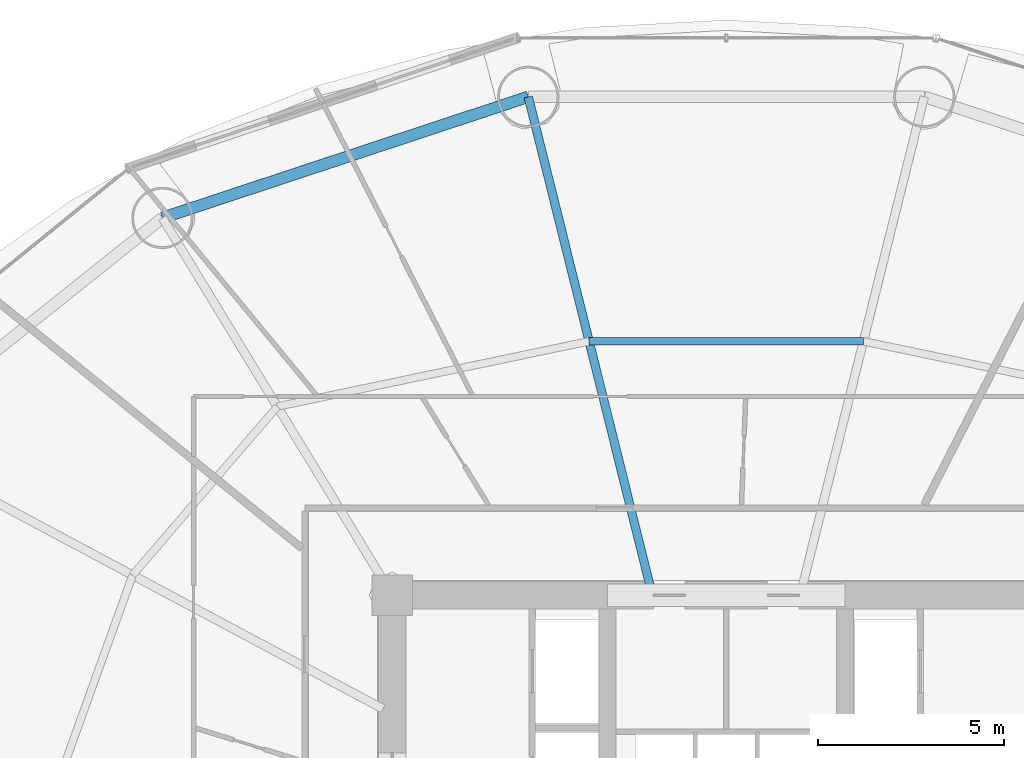
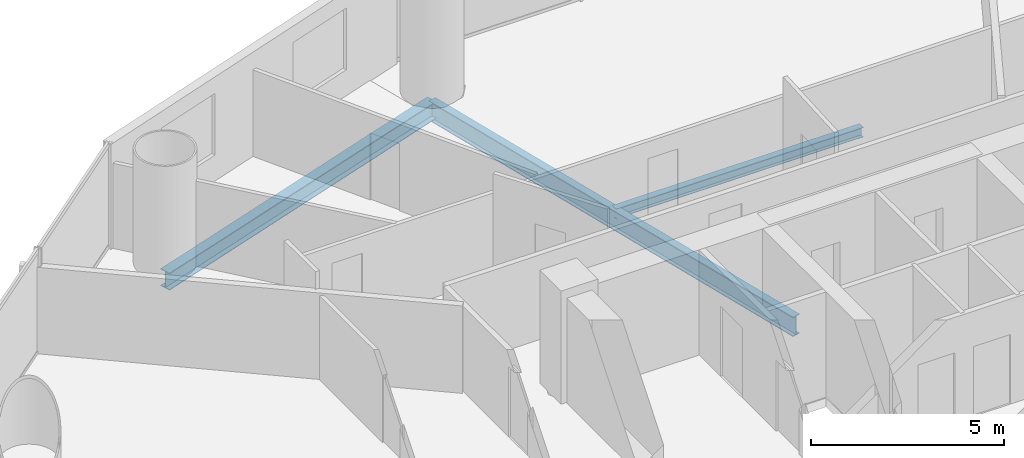
# One storey, part 17 of 29: 3 beams.
"""IFC4 building model written with IfcOpenShell, lengths in metres."""

from ifc_helpers import new_model, si_unit, direction, frame, origin, origin_2d, place, context, subcontext, project, spatial, i_section, extrude, material, material_profile, profile_set, type_object, element, save


model = new_model("IFC4")

# Units and contexts
model_context = context("Model", 3, precision=1e-05, world=origin(), true_north=direction((-0.2419218956, 0.970295726276)))
body_context = subcontext(model_context, "Body", "Model", "MODEL_VIEW")
ifc_project = project(units=[si_unit("LENGTHUNIT", "METRE"), si_unit("AREAUNIT", "SQUARE_METRE"), si_unit("VOLUMEUNIT", "CUBIC_METRE"), si_unit("PLANEANGLEUNIT", "RADIAN"), si_unit("MASSUNIT", "GRAM", prefix="KILO")], contexts=[model_context])

# Site, building, storey
site_placement = place(None, origin())
site = spatial("IfcSite", under=ifc_project, at=site_placement, CompositionType="ELEMENT")
building_placement = place(site_placement, origin())
building = spatial("IfcBuilding", under=site, at=building_placement, Name="Cobrevalo Terracotta Tower", CompositionType="ELEMENT")
storey_placement = place(building_placement, frame((0.0, 0.0, 67.199951171875)))
storey = spatial("IfcBuildingStorey", under=building, at=storey_placement, Name="L17", CompositionType="ELEMENT", Elevation=67.199951171875)

# Beams
ifc_material = material(Name="Steel S355", Category="steel")
ifc_material_profile_1 = material_profile(ifc_material, i_section(OverallWidth=0.22998046875, OverallDepth=0.616943359375, WebThickness=0.01318359375, FlangeThickness=0.022216796875, at=origin_2d()), Name="W 610x140")
ifc_profile_set_1 = profile_set([ifc_material_profile_1], Name="Steel S355")
beam_type_1 = type_object("IfcBeamType", Name="Structural Beam W 610x140 (Steel S355)", PredefinedType="BEAM", material=ifc_profile_set_1)
beam_1_placement = place(storey_placement, frame((32.664306640625, 48.230224609375, -0.58837890625), z_axis=(0.241596254786, -0.970376859614, 0.0), x_axis=(0.970376859614, 0.241596254786, 0.0)))
element("IfcBeam", 1, at=beam_1_placement, inside=storey, type_object=beam_type_1, Name="L17 radial floor girder 05", PredefinedType="BEAM", context=body_context, shape_type="SweptSolid", body=[
    extrude(i_section(OverallWidth=0.22998046875, OverallDepth=0.616943359375, WebThickness=0.01318359375, FlangeThickness=0.022216796875, at=origin_2d()), origin(), (0.0, 0.0, 1.0), 13.577392578125),
])
ifc_material_profile_2 = material_profile(ifc_material, i_section(OverallWidth=0.2041015625, OverallDepth=0.305908203125, WebThickness=0.008544921875, FlangeThickness=0.0146484375, at=origin_2d()), Name="W 310x67")
ifc_profile_set_2 = profile_set([ifc_material_profile_2], Name="Steel S355")
beam_type_2 = type_object("IfcBeamType", Name="Structural Joist W 310x67 (Steel S355)", PredefinedType="JOIST", material=ifc_profile_set_2)
beam_2_placement = place(storey_placement, frame((41.695556640625, 41.642578125, -0.432861328125), z_axis=(-1.0, 0.0, 0.0), x_axis=(0.0, -1.0, 0.0)))
element("IfcBeam", 2, at=beam_2_placement, inside=storey, type_object=beam_type_2, Name="L17 circumferential secondary floor joist 04", PredefinedType="JOIST", context=body_context, shape_type="SweptSolid", body=[
    extrude(i_section(OverallWidth=0.2041015625, OverallDepth=0.305908203125, WebThickness=0.008544921875, FlangeThickness=0.0146484375, at=origin_2d()), origin(), (0.0, 0.0, 1.0), 7.39111328125),
])
ifc_material_profile_3 = material_profile(ifc_material, i_section(OverallWidth=0.31201171875, OverallDepth=0.54296875, WebThickness=0.0126953125, FlangeThickness=0.020263671875, at=origin_2d()), Name="W 530x150")
ifc_profile_set_3 = profile_set([ifc_material_profile_3], Name="Steel S355")
beam_type_3 = type_object("IfcBeamType", Name="Structural Spandrel W 530x150 (Steel S355)", PredefinedType="SPANDREL", material=ifc_profile_set_3)
beam_3_placement = place(storey_placement, frame((32.664306640625, 48.230224609375, -0.551513671875), z_axis=(-0.949365190876, -0.314174687638, 0.0), x_axis=(0.314174687638, -0.949365190876, 0.0)))
element("IfcBeam", 3, at=beam_3_placement, inside=storey, type_object=beam_type_3, Name="L17 perimeter ring spandrel 05", PredefinedType="SPANDREL", context=body_context, shape_type="SweptSolid", body=[
    extrude(i_section(OverallWidth=0.31201171875, OverallDepth=0.54296875, WebThickness=0.0126953125, FlangeThickness=0.020263671875, at=origin_2d()), origin(), (0.0, 0.0, 1.0), 10.385009765625),
])

save(model, "model.ifc")
